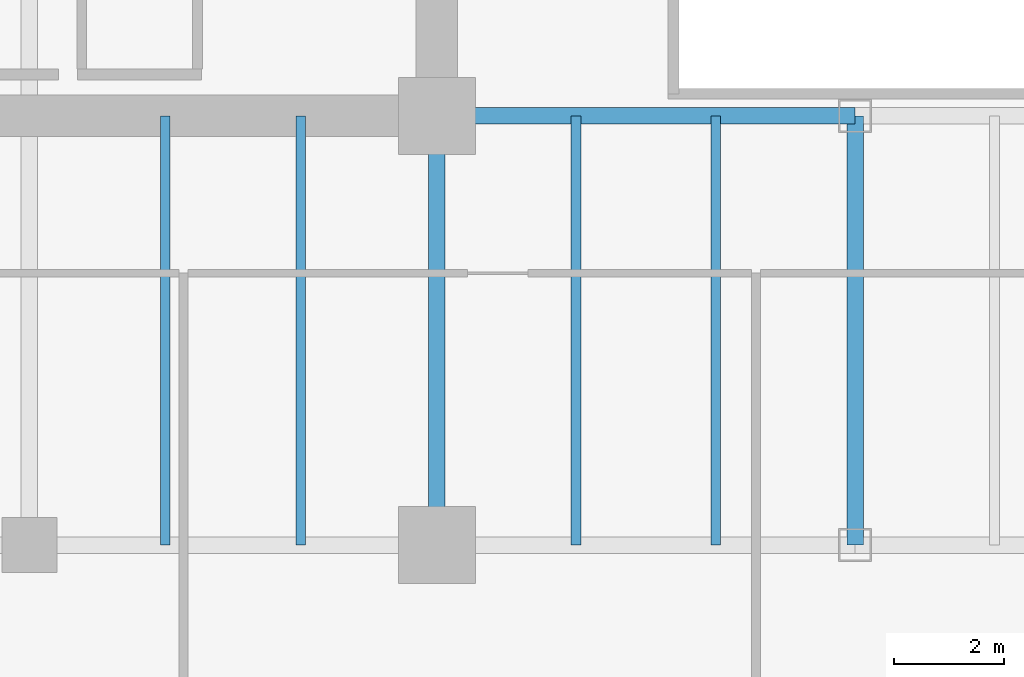
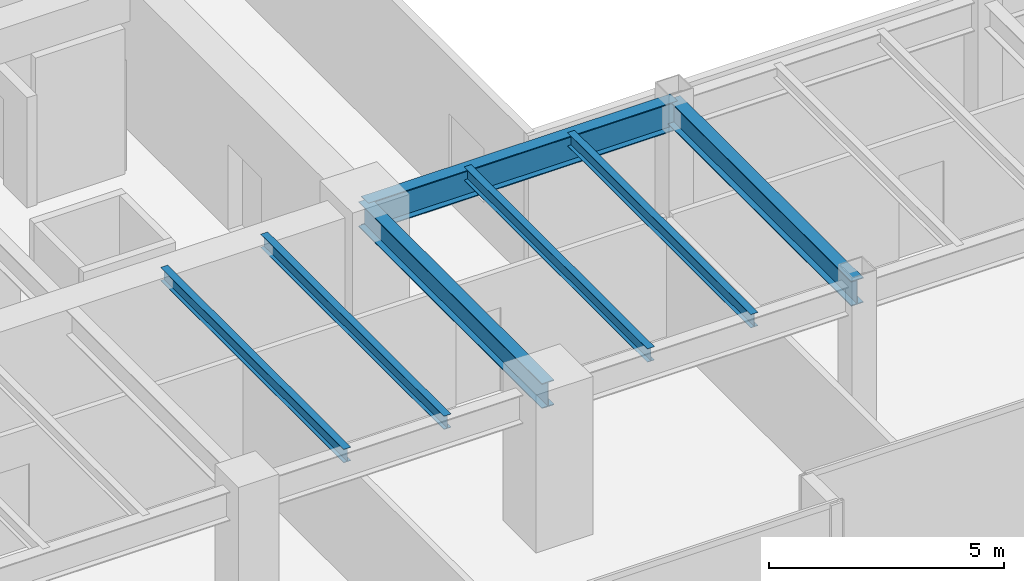
# One storey, part 5 of 35: 7 beams.
"""IFC4 building model written with IfcOpenShell, lengths in metres."""

from ifc_helpers import new_model, si_unit, direction, frame, origin, origin_2d, place, context, subcontext, project, spatial, i_section, extrude, source, transform, mapped, material, material_profile, profile_set, type_object, type_shapes, element, save


model = new_model("IFC4")

# Units and contexts
model_context = context("Model", 3, precision=1e-05, world=origin(), true_north=direction((0.0, 1.0)))
body_context = subcontext(model_context, "Body", "Model", "MODEL_VIEW")
ifc_project = project(units=[si_unit("LENGTHUNIT", "METRE"), si_unit("AREAUNIT", "SQUARE_METRE"), si_unit("VOLUMEUNIT", "CUBIC_METRE"), si_unit("PLANEANGLEUNIT", "RADIAN"), si_unit("MASSUNIT", "GRAM", prefix="KILO")], contexts=[model_context])

# Site, building, storey
site_placement = place(None, origin())
site = spatial("IfcSite", under=ifc_project, at=site_placement, CompositionType="ELEMENT")
building_placement = place(site_placement, origin())
building = spatial("IfcBuilding", under=site, at=building_placement, Name="Haelvirn Gate Laboratories", CompositionType="ELEMENT")
storey_placement = place(building_placement, frame((0.0, 0.0, 82.60009765625)))
storey = spatial("IfcBuildingStorey", under=building, at=storey_placement, Name="L20", CompositionType="ELEMENT", Elevation=82.60009765625)

# Beams
ifc_material = material(Name="Steel SM355", Category="steel")
ifc_material_profile_1 = material_profile(ifc_material, i_section(OverallWidth=0.300048828125, OverallDepth=0.75, WebThickness=0.013916015625, FlangeThickness=0.02392578125, at=origin_2d()), Name="H-750x300x14x24")
ifc_profile_set_1 = profile_set([ifc_material_profile_1], Name="Steel SM355")
beam_type_1 = type_object("IfcBeamType", Name="BM-G-750", PredefinedType="BEAM", material=ifc_profile_set_1)
shared_shape_1 = source(origin(), body_context, "Body", "SweptSolid", [
    extrude(i_section(OverallWidth=0.300048828125, OverallDepth=0.75, WebThickness=0.013916015625, FlangeThickness=0.02392578125, at=origin_2d()), origin(), (0.0, 0.0, 1.0), 7.60009765625),
])
type_shapes(beam_type_1, [shared_shape_1])
beam_placement = place(storey_placement, frame((22.199951171875, 14.800048828125, 3.40478515625), z_axis=(1.0, 0.0, 0.0), x_axis=(0.0, 1.0, 0.0)))
element("IfcBeam", 1, at=beam_placement, inside=storey, type_object=beam_type_1, Name="L20 Primary Girder Y14.8 (22.2-29.8)", PredefinedType="BEAM", context=body_context, shape_type="MappedRepresentation", body=[
    mapped(shared_shape_1, transform((0.0, 0.0, 0.0), scale=1.0)),
])
ifc_material_profile_2 = material_profile(ifc_material, i_section(OverallWidth=0.175048828125, OverallDepth=0.35009765625, WebThickness=0.007080078125, FlangeThickness=0.010986328125, at=origin_2d()), Name="H-350x175x7x11")
ifc_profile_set_2 = profile_set([ifc_material_profile_2], Name="Steel SM355")
beam_type_2 = type_object("IfcBeamType", Name="BM-J-350", PredefinedType="JOIST", material=ifc_profile_set_2)
shared_shape_2 = source(origin(), body_context, "Body", "SweptSolid", [
    extrude(i_section(OverallWidth=0.175048828125, OverallDepth=0.35009765625, WebThickness=0.007080078125, FlangeThickness=0.010986328125, at=origin_2d()), origin(), (0.0, 0.0, 1.0), 7.800048828125),
])
type_shapes(beam_type_2, [shared_shape_2])
for number, where, z_axis, x_axis, name in (
    (2, (17.27001953125, 7.0, 3.60498046875), (0.0, 1.0, 0.0), (-1.0, 0.0, 0.0), "L20 Composite Lab Joist South X17.27"),
    (3, (19.72998046875, 7.0, 3.60498046875), (0.0, 1.0, 0.0), (-1.0, 0.0, 0.0), "L20 Composite Lab Joist South X19.73"),
    (4, (24.72998046875, 7.0, 3.60498046875), (0.0, 1.0, 0.0), (-1.0, 0.0, 0.0), "L20 Composite Lab Joist South X24.73"),
    (5, (27.27001953125, 7.0, 3.60498046875), (0.0, 1.0, 0.0), (-1.0, 0.0, 0.0), "L20 Composite Lab Joist South X27.27"),
):
    element("IfcBeam", number, at=place(storey_placement, frame(where, z_axis=z_axis, x_axis=x_axis)), inside=storey, type_object=beam_type_2, Name=name, PredefinedType="JOIST", context=body_context, shape_type="MappedRepresentation", body=[
        mapped(shared_shape_2, transform((0.0, 0.0, 0.0), scale=1.0)),
    ])
ifc_material_profile_3 = material_profile(ifc_material, i_section(OverallWidth=0.300048828125, OverallDepth=0.64990234375, WebThickness=0.012939453125, FlangeThickness=0.02197265625, at=origin_2d()), Name="H-650x300x13x22")
ifc_profile_set_3 = profile_set([ifc_material_profile_3], Name="Steel SM355")
beam_type_3 = type_object("IfcBeamType", Name="BM-G-650", PredefinedType="BEAM", material=ifc_profile_set_3)
shared_shape_3 = source(origin(), body_context, "Body", "SweptSolid", [
    extrude(i_section(OverallWidth=0.300048828125, OverallDepth=0.64990234375, WebThickness=0.012939453125, FlangeThickness=0.02197265625, at=origin_2d()), origin(), (0.0, 0.0, 1.0), 7.800048828125),
])
type_shapes(beam_type_3, [shared_shape_3])
for number, where, z_axis, x_axis, name in (
    (6, (22.199951171875, 7.0, 3.454833984375), (0.0, 1.0, 0.0), (-1.0, 0.0, 0.0), "L20 Frame Girder X22.2 (7.0-14.8)"),
    (7, (29.800048828125, 7.0, 3.454833984375), (0.0, 1.0, 0.0), (-1.0, 0.0, 0.0), "L20 Frame Girder X29.8 (7.0-14.8)"),
):
    element("IfcBeam", number, at=place(storey_placement, frame(where, z_axis=z_axis, x_axis=x_axis)), inside=storey, type_object=beam_type_3, Name=name, PredefinedType="BEAM", context=body_context, shape_type="MappedRepresentation", body=[
        mapped(shared_shape_3, transform((0.0, 0.0, 0.0), scale=1.0)),
    ])

save(model, "model.ifc")
